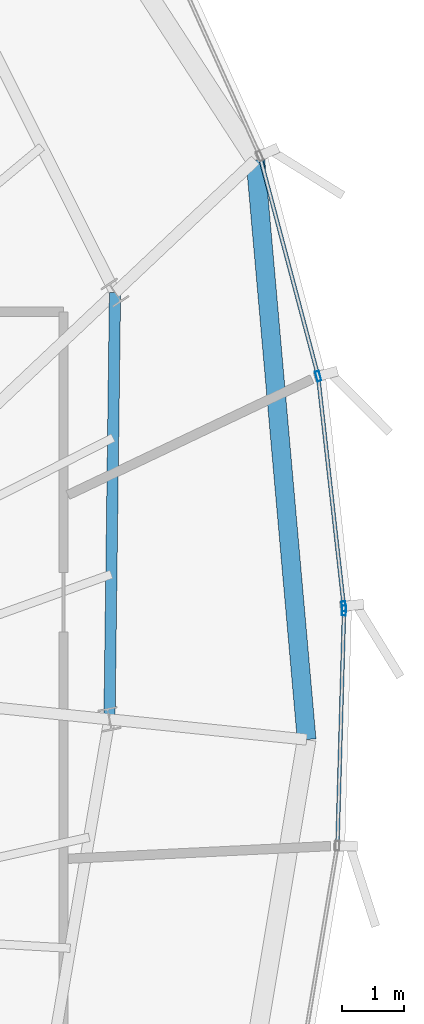
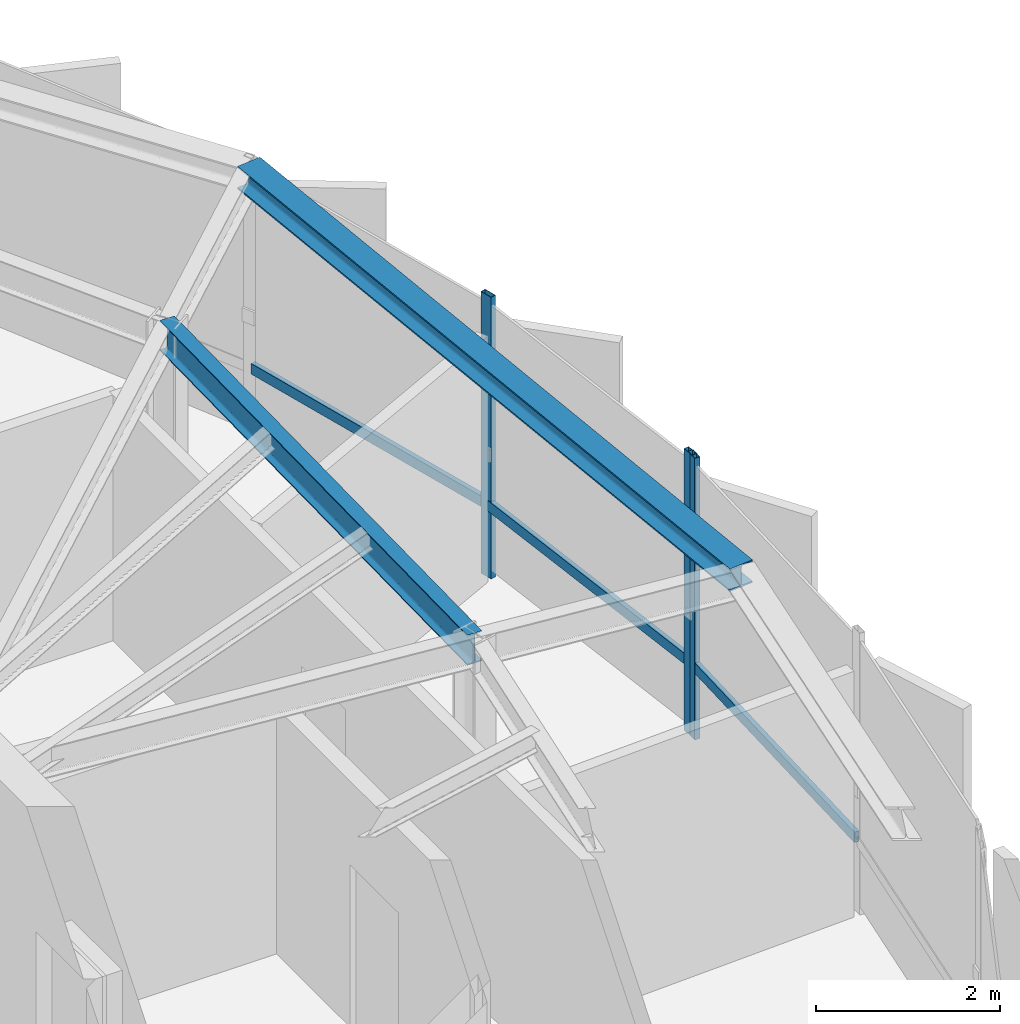
# One storey, part 13 of 27: 6 members, 2 beams, 2 elements without a shape of their own.
"""IFC4 building model written with IfcOpenShell, lengths in metres."""

from ifc_helpers import new_model, si_unit, direction, frame, origin, origin_2d, place, context, subcontext, project, spatial, hollow_rectangle, i_section, extrude, source, transform, mapped, material, layer, layer_set, material_profile, profile_set, type_object, element, aggregate, save


model = new_model("IFC4")

# Units and contexts
model_context = context("Model", 3, precision=1e-05, world=origin(), true_north=direction((0.0, 1.0)))
body_context = subcontext(model_context, "Body", "Model", "MODEL_VIEW")
ifc_project = project(units=[si_unit("LENGTHUNIT", "METRE"), si_unit("AREAUNIT", "SQUARE_METRE"), si_unit("VOLUMEUNIT", "CUBIC_METRE"), si_unit("PLANEANGLEUNIT", "RADIAN"), si_unit("MASSUNIT", "GRAM", prefix="KILO"), si_unit("THERMODYNAMICTEMPERATUREUNIT", "KELVIN")], contexts=[model_context])

# Site, building, storey
site_placement = place(None, origin())
site = spatial("IfcSite", under=ifc_project, at=site_placement, CompositionType="ELEMENT")
building_placement = place(site_placement, origin())
building = spatial("IfcBuilding", under=site, at=building_placement, Name="Kethvar Cultural Tower", CompositionType="ELEMENT")
storey_placement = place(building_placement, frame((0.0, 0.0, 308.300048828125)))
storey = spatial("IfcBuildingStorey", under=building, at=storey_placement, Name="L82", CompositionType="ELEMENT", Elevation=308.300048828125)

# Beams
ifc_material_1 = material(Name="Steel S355J2", Category="steel")
ifc_material_profile_1 = material_profile(ifc_material_1, i_section(OverallWidth=0.179931640625, OverallDepth=0.39990234375, WebThickness=0.008544921875, FlangeThickness=0.013427734375, FilletRadius=0.02099609375, at=origin_2d()), Name="Steel S355J2 — IPE400")
ifc_profile_set_1 = profile_set([ifc_material_profile_1], Name="Steel S355J2 — IPE400")
beam_type_1 = type_object("IfcBeamType", Name="BM-IPE400", PredefinedType="BEAM", material=ifc_profile_set_1)
shared_shape_1 = source(origin(), body_context, "Body", "SweptSolid", [
    extrude(i_section(OverallWidth=0.179931640625, OverallDepth=0.39990234375, WebThickness=0.008544921875, FlangeThickness=0.013427734375, FilletRadius=0.02099609375, at=origin_2d()), origin(), (0.0, 0.0, 1.0), 6.834716796875),
])
beam_1_placement = place(storey_placement, frame((61.237060546875, 30.671630859375, 3.532958984375), z_axis=(0.012966437445, 0.999915932216, 0.0), x_axis=(-0.999915932216, 0.012966437445, 0.0)))
element("IfcBeam", 1, at=beam_1_placement, inside=storey, type_object=beam_type_1, Name="L82 Column Ring Tie Beam CR-01", PredefinedType="BEAM", context=body_context, shape_type="MappedRepresentation", body=[
    mapped(shared_shape_1, transform((0.0, 0.0, 0.0), scale=1.0)),
])
ifc_material_profile_2 = material_profile(ifc_material_1, i_section(OverallWidth=0.300048828125, OverallDepth=0.300048828125, WebThickness=0.010986328125, FlangeThickness=0.01904296875, FilletRadius=0.027099609375, at=origin_2d()), Name="Steel S355J2 — HEB300")
ifc_profile_set_2 = profile_set([ifc_material_profile_2], Name="Steel S355J2 — HEB300")
beam_type_2 = type_object("IfcBeamType", Name="BM-SP300", PredefinedType="SPANDREL", material=ifc_profile_set_2)
shared_shape_2 = source(origin(), body_context, "Body", "SweptSolid", [
    extrude(i_section(OverallWidth=0.300048828125, OverallDepth=0.300048828125, WebThickness=0.010986328125, FlangeThickness=0.01904296875, FilletRadius=0.027099609375, at=origin_2d()), origin(), (0.0, 0.0, 1.0), 9.31689453125),
])
beam_2_placement = place(storey_placement, frame((64.39501953125, 30.34765625, 3.5830078125), z_axis=(-0.088097231053, 0.996111880203, 0.0), x_axis=(-0.996111880203, -0.088097231053, 0.0)))
element("IfcBeam", 2, at=beam_2_placement, inside=storey, type_object=beam_type_2, Name="L82 Perimeter Spandrel Beam SP-01", PredefinedType="SPANDREL", context=body_context, shape_type="MappedRepresentation", body=[
    mapped(shared_shape_2, transform((0.0, 0.0, 0.0), scale=1.0)),
])

# Curtain wall, member
ifc_material_2 = material(Name="Aluminium 6063-T6", Category="aluminium")
ifc_layer = layer(ifc_material_2, 0.179931640625, Name="Aluminium 6063-T6", Category="aluminium")
ifc_layer_set = layer_set([ifc_layer], Name="Aluminium 6063-T6 (180 mm)")
curtain_wall_type = type_object("IfcCurtainWallType", Name="CW-SYS-06-CROWN", PredefinedType="NOTDEFINED", material=ifc_layer_set)
curtain_wall_1_placement = place(storey_placement, origin())
curtain_wall_1 = element("IfcCurtainWall", 3, at=curtain_wall_1_placement, inside=storey, type_object=curtain_wall_type, Name="L82 Curtain Wall Run 05", PredefinedType="NOTDEFINED")
ifc_material_profile_3 = material_profile(ifc_material_2, hollow_rectangle(XDim=0.06494140625, YDim=0.159912109375, WallThickness=0.0048828125, at=origin_2d()), Name="Aluminium 6063-T6 — RHS160x65x5")
ifc_profile_set_3 = profile_set([ifc_material_profile_3], Name="Aluminium 6063-T6 — RHS160x65x5")
member_type_1 = type_object("IfcMemberType", Name="CW-SYS-06-CROWN-MUL", PredefinedType="MULLION", material=ifc_profile_set_3)
shared_shape_3 = source(origin(), body_context, "Body", "SweptSolid", [
    extrude(hollow_rectangle(XDim=0.06494140625, YDim=0.159912109375, WallThickness=0.0048828125, at=origin_2d()), origin(), (0.0, 0.0, 1.0), 3.73486328125),
])
member_1_placement = place(storey_placement, frame((64.993896484375, 32.4150390625, 0.0), z_axis=(0.0, 0.0, 1.0), x_axis=(-0.99960522657, 0.028096103175, 0.0)))
member_1 = element("IfcMember", 4, at=member_1_placement, type_object=member_type_1, Name="CW-L82-R05 Mullion 7", PredefinedType="MULLION", context=body_context, shape_type="MappedRepresentation", body=[
    mapped(shared_shape_3, transform((0.0, 0.0, 0.0), scale=1.0)),
])

# Curtain wall, members
curtain_wall_2_placement = place(storey_placement, origin())
curtain_wall_2 = element("IfcCurtainWall", 5, at=curtain_wall_2_placement, inside=storey, type_object=curtain_wall_type, Name="L82 Curtain Wall Run 06", PredefinedType="NOTDEFINED")
member_2_placement = place(storey_placement, frame((64.990966796875, 32.482421875, 0.0), z_axis=(0.0, 0.0, 1.0), x_axis=(-0.99379900841, -0.111191415509, 0.0)))
member_2 = element("IfcMember", 6, at=member_2_placement, type_object=member_type_1, Name="CW-L82-R06 Mullion 1", PredefinedType="MULLION", context=body_context, shape_type="MappedRepresentation", body=[
    mapped(shared_shape_3, transform((0.0, 0.0, 0.0), scale=1.0)),
])
member_3_placement = place(storey_placement, frame((64.580078125, 36.16796875, 0.0), z_axis=(0.0, 0.0, 1.0), x_axis=(-0.966582207288, -0.256356853926, 0.0)))
member_3 = element("IfcMember", 7, at=member_3_placement, type_object=member_type_1, Name="CW-L82-R06 Mullion 2", PredefinedType="MULLION", context=body_context, shape_type="MappedRepresentation", body=[
    mapped(shared_shape_3, transform((0.0, 0.0, 0.0), scale=1.0)),
])

# Member
ifc_material_profile_4 = material_profile(ifc_material_2, hollow_rectangle(XDim=0.06005859375, YDim=0.139892578125, WallThickness=0.0048828125, at=origin_2d()), Name="Aluminium 6063-T6 — RHS140x60x5")
ifc_profile_set_4 = profile_set([ifc_material_profile_4], Name="Aluminium 6063-T6 — RHS140x60x5")
member_type_2 = type_object("IfcMemberType", Name="CW-SYS-06-CROWN-TRN", PredefinedType="USERDEFINED", material=ifc_profile_set_4)
shared_shape_4 = source(origin(), body_context, "Body", "SweptSolid", [
    extrude(hollow_rectangle(XDim=0.06005859375, YDim=0.139892578125, WallThickness=0.0048828125, at=origin_2d()), origin(), (0.0, 0.0, 1.0), 3.71728515625),
])
member_4_placement = place(storey_placement, frame((64.889404296875, 28.694580078125, 0.949951171875), z_axis=(0.02804415602, 0.999606685308, 0.0), x_axis=(-0.999606685308, 0.02804415602, 0.0)))
member_4 = element("IfcMember", 8, at=member_4_placement, type_object=member_type_2, Name="CW-L82-R05 Transom 6", ObjectType="TRANSOM", PredefinedType="USERDEFINED", context=body_context, shape_type="MappedRepresentation", body=[
    mapped(shared_shape_4, transform((0.0, 0.0, 0.0), scale=1.0)),
])

aggregate(curtain_wall_1, [member_1, member_4])

shared_shape_5 = source(origin(), body_context, "Body", "SweptSolid", [
    extrude(hollow_rectangle(XDim=0.06005859375, YDim=0.139892578125, WallThickness=0.0048828125, at=origin_2d()), origin(), (0.0, 0.0, 1.0), 3.574951171875),
])
member_5_placement = place(storey_placement, frame((64.568115234375, 36.213134765625, 0.949951171875), z_axis=(-0.25636178445, 0.966580899601, 0.0), x_axis=(-0.966580899601, -0.25636178445, 0.0)))
member_5 = element("IfcMember", 9, at=member_5_placement, type_object=member_type_2, Name="CW-L82-R06 Transom 2", ObjectType="TRANSOM", PredefinedType="USERDEFINED", context=body_context, shape_type="MappedRepresentation", body=[
    mapped(shared_shape_5, transform((0.0, 0.0, 0.0), scale=1.0)),
])

shared_shape_6 = source(origin(), body_context, "Body", "SweptSolid", [
    extrude(hollow_rectangle(XDim=0.06005859375, YDim=0.139892578125, WallThickness=0.0048828125, at=origin_2d()), origin(), (0.0, 0.0, 1.0), 3.674560546875),
])
member_6_placement = place(storey_placement, frame((64.990478515625, 32.487060546875, 0.949951171875), z_axis=(-0.111219037699, 0.993795917507, 0.0), x_axis=(-0.993795917507, -0.111219037699, 0.0)))
member_6 = element("IfcMember", 10, at=member_6_placement, type_object=member_type_2, Name="CW-L82-R06 Transom 1", ObjectType="TRANSOM", PredefinedType="USERDEFINED", context=body_context, shape_type="MappedRepresentation", body=[
    mapped(shared_shape_6, transform((0.0, 0.0, 0.0), scale=1.0)),
])

aggregate(curtain_wall_2, [member_2, member_3, member_6, member_5])

save(model, "model.ifc")
